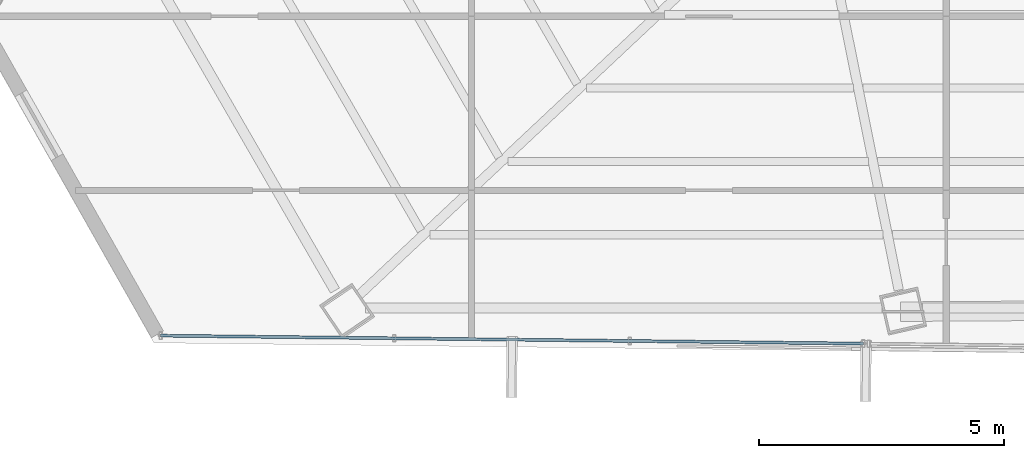
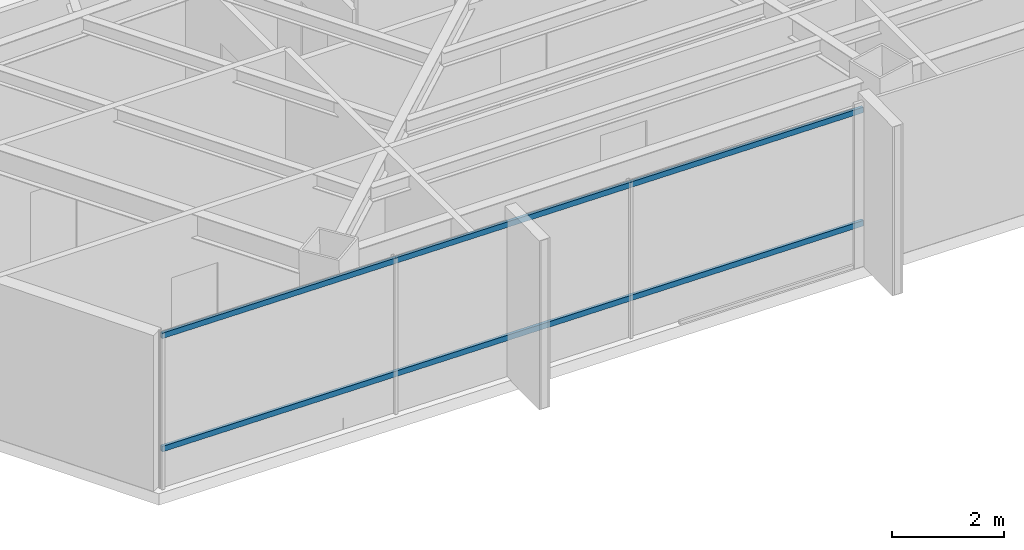
# One storey, part 4 of 42: 2 members, 1 element without a shape of its own.
"""IFC4 building model written with IfcOpenShell, lengths in metres."""

from ifc_helpers import new_model, si_unit, direction, frame, origin, origin_2d, place, context, subcontext, project, spatial, hollow_rectangle, extrude, source, transform, mapped, material, material_profile, profile_set, type_object, type_shapes, element, aggregate, save


model = new_model("IFC4")

# Units and contexts
model_context = context("Model", 3, precision=1e-05, world=origin(), true_north=direction((0.0, 1.0)))
body_context = subcontext(model_context, "Body", "Model", "MODEL_VIEW")
ifc_project = project(units=[si_unit("LENGTHUNIT", "METRE"), si_unit("AREAUNIT", "SQUARE_METRE"), si_unit("VOLUMEUNIT", "CUBIC_METRE"), si_unit("PLANEANGLEUNIT", "RADIAN"), si_unit("MASSUNIT", "GRAM", prefix="KILO")], contexts=[model_context])

# Site, building, storey
site_placement = place(None, origin())
site = spatial("IfcSite", under=ifc_project, at=site_placement, CompositionType="ELEMENT")
building_placement = place(site_placement, origin())
building = spatial("IfcBuilding", under=site, at=building_placement, Name="Caelisora Broadcast Tower", CompositionType="ELEMENT")
storey_placement = place(building_placement, frame((0.0, 0.0, 205.949951171875)))
storey = spatial("IfcBuildingStorey", under=building, at=storey_placement, Name="L54", CompositionType="ELEMENT", Elevation=205.949951171875)

# Curtain wall, members
ifc_material_1 = material(Name="Unitised Aluminium and Low-E Glass Curtain Wall", Category="glass")
curtain_wall_type = type_object("IfcCurtainWallType", Name="CW-Z4", PredefinedType="NOTDEFINED", material=ifc_material_1)
curtain_wall_placement = place(storey_placement, origin())
curtain_wall = element("IfcCurtainWall", 1, at=curtain_wall_placement, inside=storey, type_object=curtain_wall_type, Name="L54 curtain wall CW-Z4", PredefinedType="NOTDEFINED")
ifc_material_2 = material(Name="Aluminium 6063-T6 Anodised Terracotta Bronze", Category="aluminium")
ifc_material_profile = material_profile(ifc_material_2, hollow_rectangle(XDim=0.06005859375, YDim=0.1201171875, WallThickness=0.0029296875, at=origin_2d()), Name="Aluminium 6063-T6 Anodised Terracotta Bronze")
ifc_profile_set = profile_set([ifc_material_profile], Name="Aluminium 6063-T6 Anodised Terracotta Bronze")
member_type = type_object("IfcMemberType", Name="CWT-03", PredefinedType="USERDEFINED", material=ifc_profile_set)
shared_shape = source(origin(), body_context, "Body", "SweptSolid", [
    extrude(hollow_rectangle(XDim=0.06005859375, YDim=0.1201171875, WallThickness=0.0029296875, at=origin_2d()), origin(), (0.0, 0.0, 1.0), 14.366455078125),
])
type_shapes(member_type, [shared_shape])
member_1_placement = place(storey_placement, frame((31.509521484375, 7.678955078125, 0.85009765625), z_axis=(-0.9999353721, 0.011368888427, 0.0), x_axis=(-0.011368888427, -0.9999353721, 0.0)))
member_1 = element("IfcMember", 2, at=member_1_placement, type_object=member_type, Name="L54-CW-B07 transom #1", ObjectType="TRANSOM", PredefinedType="USERDEFINED", context=body_context, shape_type="MappedRepresentation", body=[
    mapped(shared_shape, transform((0.0, 0.0, 0.0), scale=1.0)),
])
member_2_placement = place(storey_placement, frame((31.509521484375, 7.678955078125, 3.320068359375), z_axis=(-0.9999353721, 0.011368888427, 0.0), x_axis=(-0.011368888427, -0.9999353721, 0.0)))
member_2 = element("IfcMember", 3, at=member_2_placement, type_object=member_type, Name="L54-CW-B07 transom #2", ObjectType="TRANSOM", PredefinedType="USERDEFINED", context=body_context, shape_type="MappedRepresentation", body=[
    mapped(shared_shape, transform((0.0, 0.0, 0.0), scale=1.0)),
])
aggregate(curtain_wall, [member_1, member_2])

save(model, "model.ifc")
